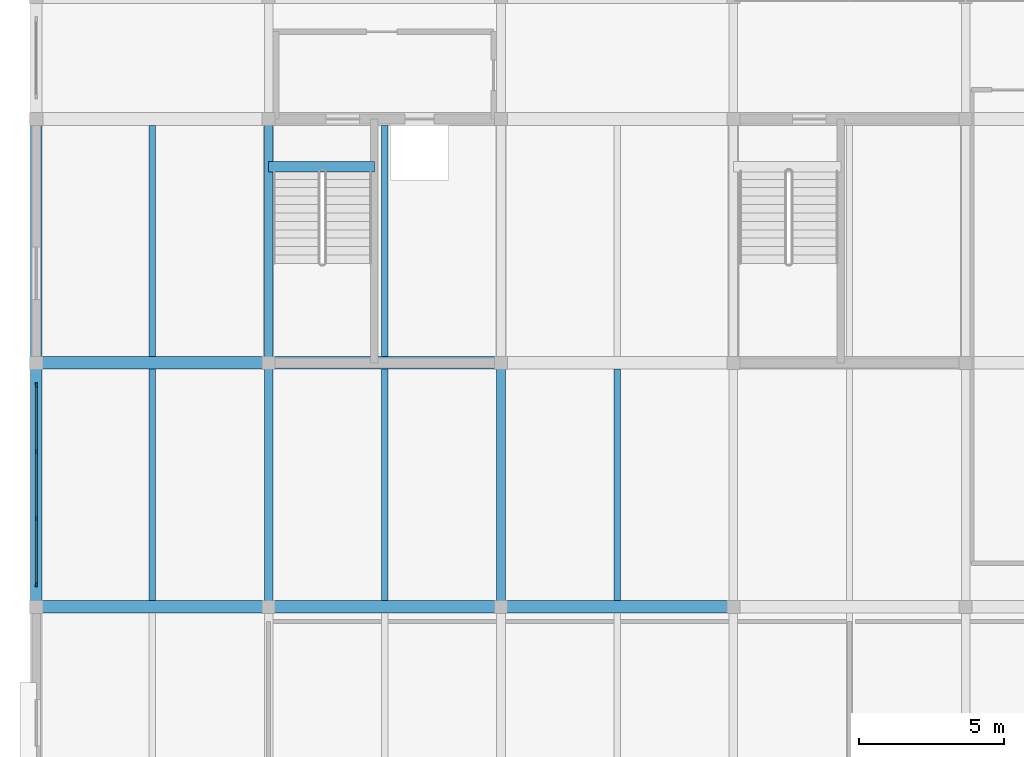
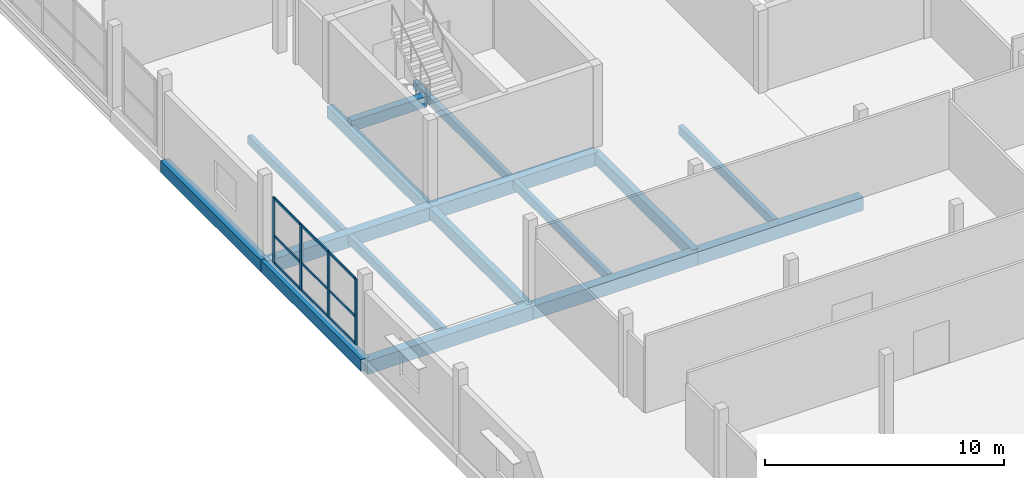
# One storey, part 17 of 53: 16 beams, 13 members, 1 element without a shape of its own.
"""IFC4 building model written with IfcOpenShell, lengths in metres."""

from ifc_helpers import new_model, si_unit, direction, frame, origin, origin_2d, place, context, subcontext, project, spatial, rectangle, extrude, material, material_profile, profile_set, type_object, element, aggregate, save


model = new_model("IFC4")

# Units and contexts
model_context = context("Model", 3, precision=1e-05, world=origin(), true_north=direction((0.0, 1.0)))
body_context = subcontext(model_context, "Body", "Model", "MODEL_VIEW")
ifc_project = project(units=[si_unit("LENGTHUNIT", "METRE"), si_unit("AREAUNIT", "SQUARE_METRE"), si_unit("VOLUMEUNIT", "CUBIC_METRE"), si_unit("PLANEANGLEUNIT", "RADIAN"), si_unit("MASSUNIT", "GRAM", prefix="KILO")], contexts=[model_context])

# Site, building, storey
site_placement = place(None, origin())
site = spatial("IfcSite", under=ifc_project, at=site_placement, CompositionType="ELEMENT")
building_placement = place(site_placement, origin())
building = spatial("IfcBuilding", under=site, at=building_placement, Name="Vharandega Faculty of Natural Sciences", CompositionType="ELEMENT")
storey_placement = place(building_placement, frame((0.0, 0.0, 10.199951171875)))
storey = spatial("IfcBuildingStorey", under=building, at=storey_placement, Name="L02", CompositionType="ELEMENT", Elevation=10.199951171875)

# Curtain wall, members
ifc_material_1 = material(Name="Aluminium and solar-control glass curtain wall", Category="aluminium")
curtain_wall_type = type_object("IfcCurtainWallType", Name="Unitised Curtain Wall System CW-25", PredefinedType="NOTDEFINED", material=ifc_material_1)
curtain_wall_placement = place(storey_placement, origin())
curtain_wall = element("IfcCurtainWall", 1, at=curtain_wall_placement, inside=storey, type_object=curtain_wall_type, Name="Curtain Wall CW-L02-052", PredefinedType="NOTDEFINED")
ifc_material_2 = material(Name="Thermally broken aluminium 6063-T6", Category="aluminium")
ifc_material_profile_1 = material_profile(ifc_material_2, rectangle(XDim=0.06005859375, YDim=0.159912109375, at=origin_2d()), Name="ALU 60x160")
ifc_profile_set_1 = profile_set([ifc_material_profile_1], Name="Thermally broken aluminium 6063-T6")
member_type_1 = type_object("IfcMemberType", Name="CW Mullion 60x160", PredefinedType="MULLION", material=ifc_profile_set_1)
member_1_placement = place(storey_placement, frame((0.0, 64.77001953125, 0.0), z_axis=(0.0, 0.0, 1.0), x_axis=(-1.0, 0.0, 0.0)))
member_1 = element("IfcMember", 2, at=member_1_placement, type_object=member_type_1, Name="CW-25 mullion 1", PredefinedType="MULLION", context=body_context, shape_type="SweptSolid", body=[
    extrude(rectangle(XDim=0.06005859375, YDim=0.159912109375, at=origin_2d()), origin(), (0.0, 0.0, 1.0), 3.360107421875),
])
member_2_placement = place(storey_placement, frame((0.0, 67.046630859375, 0.0), z_axis=(0.0, 0.0, 1.0), x_axis=(-1.0, 0.0, 0.0)))
member_2 = element("IfcMember", 3, at=member_2_placement, type_object=member_type_1, Name="CW-25 mullion 2", PredefinedType="MULLION", context=body_context, shape_type="SweptSolid", body=[
    extrude(rectangle(XDim=0.06005859375, YDim=0.159912109375, at=origin_2d()), origin(), (0.0, 0.0, 1.0), 3.360107421875),
])
member_3_placement = place(storey_placement, frame((0.0, 69.353271484375, 0.0), z_axis=(0.0, 0.0, 1.0), x_axis=(-1.0, 0.0, 0.0)))
member_3 = element("IfcMember", 4, at=member_3_placement, type_object=member_type_1, Name="CW-25 mullion 3", PredefinedType="MULLION", context=body_context, shape_type="SweptSolid", body=[
    extrude(rectangle(XDim=0.06005859375, YDim=0.159912109375, at=origin_2d()), origin(), (0.0, 0.0, 1.0), 3.360107421875),
])
member_4_placement = place(storey_placement, frame((0.0, 71.6298828125, 0.0), z_axis=(0.0, 0.0, 1.0), x_axis=(-1.0, 0.0, 0.0)))
member_4 = element("IfcMember", 5, at=member_4_placement, type_object=member_type_1, Name="CW-25 mullion 4", PredefinedType="MULLION", context=body_context, shape_type="SweptSolid", body=[
    extrude(rectangle(XDim=0.06005859375, YDim=0.159912109375, at=origin_2d()), origin(), (0.0, 0.0, 1.0), 3.360107421875),
])
ifc_material_3 = material(Name="Thermally broken aluminium 6063-T6", Category="aluminium")
ifc_material_profile_2 = material_profile(ifc_material_3, rectangle(XDim=0.06005859375, YDim=0.1201171875, at=origin_2d()), Name="ALU 60x120")
ifc_profile_set_2 = profile_set([ifc_material_profile_2], Name="Thermally broken aluminium 6063-T6")
member_type_2 = type_object("IfcMemberType", Name="CW Transom 60x120", PredefinedType="USERDEFINED", material=ifc_profile_set_2)
member_5_placement = place(storey_placement, frame((0.0, 64.800048828125, 0.030029296875), z_axis=(0.0, 1.0, 0.0), x_axis=(-1.0, 0.0, 0.0)))
member_5 = element("IfcMember", 6, at=member_5_placement, type_object=member_type_2, Name="CW-25 transom 1.1", ObjectType="TRANSOM", PredefinedType="USERDEFINED", context=body_context, shape_type="SweptSolid", body=[
    extrude(rectangle(XDim=0.06005859375, YDim=0.1201171875, at=origin_2d()), origin(), (0.0, 0.0, 1.0), 2.216552734375),
])
member_6_placement = place(storey_placement, frame((0.0, 64.800048828125, 1.4111328125), z_axis=(0.0, 1.0, 0.0), x_axis=(-1.0, 0.0, 0.0)))
member_6 = element("IfcMember", 7, at=member_6_placement, type_object=member_type_2, Name="CW-25 transom 1.2", ObjectType="TRANSOM", PredefinedType="USERDEFINED", context=body_context, shape_type="SweptSolid", body=[
    extrude(rectangle(XDim=0.06005859375, YDim=0.1201171875, at=origin_2d()), origin(), (0.0, 0.0, 1.0), 2.216552734375),
])
member_7_placement = place(storey_placement, frame((0.0, 64.800048828125, 3.330078125), z_axis=(0.0, 1.0, 0.0), x_axis=(-1.0, 0.0, 0.0)))
member_7 = element("IfcMember", 8, at=member_7_placement, type_object=member_type_2, Name="CW-25 transom 1.3", ObjectType="TRANSOM", PredefinedType="USERDEFINED", context=body_context, shape_type="SweptSolid", body=[
    extrude(rectangle(XDim=0.06005859375, YDim=0.1201171875, at=origin_2d()), origin(), (0.0, 0.0, 1.0), 2.216552734375),
])
member_8_placement = place(storey_placement, frame((0.0, 67.07666015625, 0.030029296875), z_axis=(0.0, 1.0, 0.0), x_axis=(-1.0, 0.0, 0.0)))
member_8 = element("IfcMember", 9, at=member_8_placement, type_object=member_type_2, Name="CW-25 transom 2.1", ObjectType="TRANSOM", PredefinedType="USERDEFINED", context=body_context, shape_type="SweptSolid", body=[
    extrude(rectangle(XDim=0.06005859375, YDim=0.1201171875, at=origin_2d()), origin(), (0.0, 0.0, 1.0), 2.24658203125),
])
member_9_placement = place(storey_placement, frame((0.0, 67.07666015625, 1.4111328125), z_axis=(0.0, 1.0, 0.0), x_axis=(-1.0, 0.0, 0.0)))
member_9 = element("IfcMember", 10, at=member_9_placement, type_object=member_type_2, Name="CW-25 transom 2.2", ObjectType="TRANSOM", PredefinedType="USERDEFINED", context=body_context, shape_type="SweptSolid", body=[
    extrude(rectangle(XDim=0.06005859375, YDim=0.1201171875, at=origin_2d()), origin(), (0.0, 0.0, 1.0), 2.24658203125),
])
member_10_placement = place(storey_placement, frame((0.0, 67.07666015625, 3.330078125), z_axis=(0.0, 1.0, 0.0), x_axis=(-1.0, 0.0, 0.0)))
member_10 = element("IfcMember", 11, at=member_10_placement, type_object=member_type_2, Name="CW-25 transom 2.3", ObjectType="TRANSOM", PredefinedType="USERDEFINED", context=body_context, shape_type="SweptSolid", body=[
    extrude(rectangle(XDim=0.06005859375, YDim=0.1201171875, at=origin_2d()), origin(), (0.0, 0.0, 1.0), 2.24658203125),
])
member_11_placement = place(storey_placement, frame((0.0, 69.38330078125, 0.030029296875), z_axis=(0.0, 1.0, 0.0), x_axis=(-1.0, 0.0, 0.0)))
member_11 = element("IfcMember", 12, at=member_11_placement, type_object=member_type_2, Name="CW-25 transom 3.1", ObjectType="TRANSOM", PredefinedType="USERDEFINED", context=body_context, shape_type="SweptSolid", body=[
    extrude(rectangle(XDim=0.06005859375, YDim=0.1201171875, at=origin_2d()), origin(), (0.0, 0.0, 1.0), 2.216796875),
])
member_12_placement = place(storey_placement, frame((0.0, 69.38330078125, 1.4111328125), z_axis=(0.0, 1.0, 0.0), x_axis=(-1.0, 0.0, 0.0)))
member_12 = element("IfcMember", 13, at=member_12_placement, type_object=member_type_2, Name="CW-25 transom 3.2", ObjectType="TRANSOM", PredefinedType="USERDEFINED", context=body_context, shape_type="SweptSolid", body=[
    extrude(rectangle(XDim=0.06005859375, YDim=0.1201171875, at=origin_2d()), origin(), (0.0, 0.0, 1.0), 2.216796875),
])
member_13_placement = place(storey_placement, frame((0.0, 69.38330078125, 3.330078125), z_axis=(0.0, 1.0, 0.0), x_axis=(-1.0, 0.0, 0.0)))
member_13 = element("IfcMember", 14, at=member_13_placement, type_object=member_type_2, Name="CW-25 transom 3.3", ObjectType="TRANSOM", PredefinedType="USERDEFINED", context=body_context, shape_type="SweptSolid", body=[
    extrude(rectangle(XDim=0.06005859375, YDim=0.1201171875, at=origin_2d()), origin(), (0.0, 0.0, 1.0), 2.216796875),
])
aggregate(curtain_wall, [member_1, member_2, member_3, member_4, member_5, member_6, member_7, member_8, member_9, member_10, member_11, member_12, member_13])

# Beams
ifc_material_4 = material(Name="Glulam GL28h", Category="wood")
ifc_material_profile_3 = material_profile(ifc_material_4, rectangle(XDim=0.300048828125, YDim=0.60009765625, at=origin_2d()), Name="GL28h 300x600")
ifc_profile_set_3 = profile_set([ifc_material_profile_3], Name="Glulam GL28h")
beam_type_1 = type_object("IfcBeamType", Name="Glulam Floor Beam 300x600", PredefinedType="BEAM", material=ifc_profile_set_3)
beam_1_placement = place(storey_placement, frame((8.0, 64.0, -0.56005859375), z_axis=(0.0, 1.0, 0.0), x_axis=(-1.0, 0.0, 0.0)))
element("IfcBeam", 15, at=beam_1_placement, inside=storey, type_object=beam_type_1, Name="Beam L02 2/J-K", PredefinedType="BEAM", context=body_context, shape_type="SweptSolid", body=[
    extrude(rectangle(XDim=0.300048828125, YDim=0.60009765625, at=origin_2d()), origin(), (0.0, 0.0, 1.0), 8.39990234375),
])
beam_2_placement = place(storey_placement, frame((8.0, 72.39990234375, -0.56005859375), z_axis=(0.0, 1.0, 0.0), x_axis=(-1.0, 0.0, 0.0)))
element("IfcBeam", 16, at=beam_2_placement, inside=storey, type_object=beam_type_1, Name="Beam L02 2/K-L", PredefinedType="BEAM", context=body_context, shape_type="SweptSolid", body=[
    extrude(rectangle(XDim=0.300048828125, YDim=0.60009765625, at=origin_2d()), origin(), (0.0, 0.0, 1.0), 8.400146484375),
])
beam_3_placement = place(storey_placement, frame((16.0, 64.0, -0.56005859375), z_axis=(0.0, 1.0, 0.0), x_axis=(-1.0, 0.0, 0.0)))
element("IfcBeam", 17, at=beam_3_placement, inside=storey, type_object=beam_type_1, Name="Beam L02 3/J-K", PredefinedType="BEAM", context=body_context, shape_type="SweptSolid", body=[
    extrude(rectangle(XDim=0.300048828125, YDim=0.60009765625, at=origin_2d()), origin(), (0.0, 0.0, 1.0), 8.39990234375),
])
ifc_material_5 = material(Name="Glulam GL32h", Category="wood")
ifc_material_profile_4 = material_profile(ifc_material_5, rectangle(XDim=0.43994140625, YDim=0.679931640625, at=origin_2d()), Name="GL32h 440x680")
ifc_profile_set_4 = profile_set([ifc_material_profile_4], Name="Glulam GL32h")
beam_type_2 = type_object("IfcBeamType", Name="Glulam Girder 440x680", PredefinedType="BEAM", material=ifc_profile_set_4)
for number, where, z_axis, x_axis, name in (
    (18, (0.0, 64.0, -0.619873046875), (1.0, 0.0, 0.0), (0.0, 1.0, 0.0), "Beam L02 J/1-2"),
    (19, (8.0, 64.0, -0.619873046875), (1.0, 0.0, 0.0), (0.0, 1.0, 0.0), "Beam L02 J/2-3"),
    (20, (16.0, 64.0, -0.619873046875), (1.0, 0.0, 0.0), (0.0, 1.0, 0.0), "Beam L02 J/3-4"),
    (21, (0.0, 72.39990234375, -0.599853515625), (1.0, 0.0, 0.0), (0.0, 1.0, 0.0), "Beam L02 K/1-2"),
    (22, (8.0, 72.39990234375, -0.599853515625), (1.0, 0.0, 0.0), (0.0, 1.0, 0.0), "Beam L02 K/2-3"),
):
    element("IfcBeam", number, at=place(storey_placement, frame(where, z_axis=z_axis, x_axis=x_axis)), inside=storey, type_object=beam_type_2, Name=name, PredefinedType="BEAM", context=body_context, shape_type="SweptSolid", body=[
        extrude(rectangle(XDim=0.43994140625, YDim=0.679931640625, at=origin_2d()), origin(), (0.0, 0.0, 1.0), 8.0),
    ])
ifc_material_6 = material(Name="Glulam GL28h", Category="wood")
ifc_material_profile_5 = material_profile(ifc_material_6, rectangle(XDim=0.219970703125, YDim=0.43994140625, at=origin_2d()), Name="GL28h 220x440")
ifc_profile_set_5 = profile_set([ifc_material_profile_5], Name="Glulam GL28h")
beam_type_3 = type_object("IfcBeamType", Name="Glulam Secondary Joist 220x440", PredefinedType="JOIST", material=ifc_profile_set_5)
for number, where, z_axis, x_axis, name in (
    (23, (4.0, 64.219970703125, -0.47998046875), (0.0, 1.0, 0.0), (-1.0, 0.0, 0.0), "Secondary Joist L02 1-2/J-K"),
    (24, (4.0, 72.6201171875, -0.47998046875), (0.0, 1.0, 0.0), (-1.0, 0.0, 0.0), "Secondary Joist L02 1-2/K-L"),
    (25, (12.0, 64.219970703125, -0.47998046875), (0.0, 1.0, 0.0), (-1.0, 0.0, 0.0), "Secondary Joist L02 2-3/J-K"),
    (26, (12.0, 72.6201171875, -0.47998046875), (0.0, 1.0, 0.0), (-1.0, 0.0, 0.0), "Secondary Joist L02 2-3/K-L"),
    (27, (20.0, 64.219970703125, -0.47998046875), (0.0, 1.0, 0.0), (-1.0, 0.0, 0.0), "Secondary Joist L02 3-4/J-K"),
):
    element("IfcBeam", number, at=place(storey_placement, frame(where, z_axis=z_axis, x_axis=x_axis)), inside=storey, type_object=beam_type_3, Name=name, PredefinedType="JOIST", context=body_context, shape_type="SweptSolid", body=[
        extrude(rectangle(XDim=0.219970703125, YDim=0.43994140625, at=origin_2d()), origin(), (0.0, 0.0, 1.0), 7.9599609375),
    ])
ifc_material_7 = material(Name="Glulam GL32h", Category="wood")
ifc_material_profile_6 = material_profile(ifc_material_7, rectangle(XDim=0.39990234375, YDim=0.60009765625, at=origin_2d()), Name="GL32h 400x600")
ifc_profile_set_6 = profile_set([ifc_material_profile_6], Name="Glulam GL32h")
beam_type_4 = type_object("IfcBeamType", Name="Glulam Spine Girder 400x600", PredefinedType="BEAM", material=ifc_profile_set_6)
beam_4_placement = place(storey_placement, frame((0.0, 64.0, -0.56005859375), z_axis=(0.0, 1.0, 0.0), x_axis=(-1.0, 0.0, 0.0)))
element("IfcBeam", 28, at=beam_4_placement, inside=storey, type_object=beam_type_4, Name="Beam L02 1/J-K", PredefinedType="BEAM", context=body_context, shape_type="SweptSolid", body=[
    extrude(rectangle(XDim=0.39990234375, YDim=0.60009765625, at=origin_2d()), origin(), (0.0, 0.0, 1.0), 8.39990234375),
])
beam_5_placement = place(storey_placement, frame((0.0, 72.39990234375, -0.56005859375), z_axis=(0.0, 1.0, 0.0), x_axis=(-1.0, 0.0, 0.0)))
element("IfcBeam", 29, at=beam_5_placement, inside=storey, type_object=beam_type_4, Name="Beam L02 1/K-L", PredefinedType="BEAM", context=body_context, shape_type="SweptSolid", body=[
    extrude(rectangle(XDim=0.39990234375, YDim=0.60009765625, at=origin_2d()), origin(), (0.0, 0.0, 1.0), 8.400146484375),
])
ifc_material_8 = material(Name="Concrete C40/50", Category="concrete")
ifc_material_profile_7 = material_profile(ifc_material_8, rectangle(XDim=0.35009765625, YDim=0.550048828125, at=origin_2d()), Name="RC 350x550")
ifc_profile_set_7 = profile_set([ifc_material_profile_7], Name="Concrete C40/50")
beam_type_5 = type_object("IfcBeamType", Name="Stair Header Trimmer Beam 350x550", PredefinedType="BEAM", material=ifc_profile_set_7)
beam_6_placement = place(storey_placement, frame((8.0, 79.14990234375, -0.27490234375), z_axis=(1.0, 0.0, 0.0), x_axis=(0.0, 1.0, 0.0)))
element("IfcBeam", 30, at=beam_6_placement, inside=storey, type_object=beam_type_5, Name="Stair Landing Trimmer Beam C4 L02", PredefinedType="BEAM", context=body_context, shape_type="SweptSolid", body=[
    extrude(rectangle(XDim=0.35009765625, YDim=0.550048828125, at=origin_2d()), origin(), (0.0, 0.0, 1.0), 3.639892578125),
])

save(model, "model.ifc")
